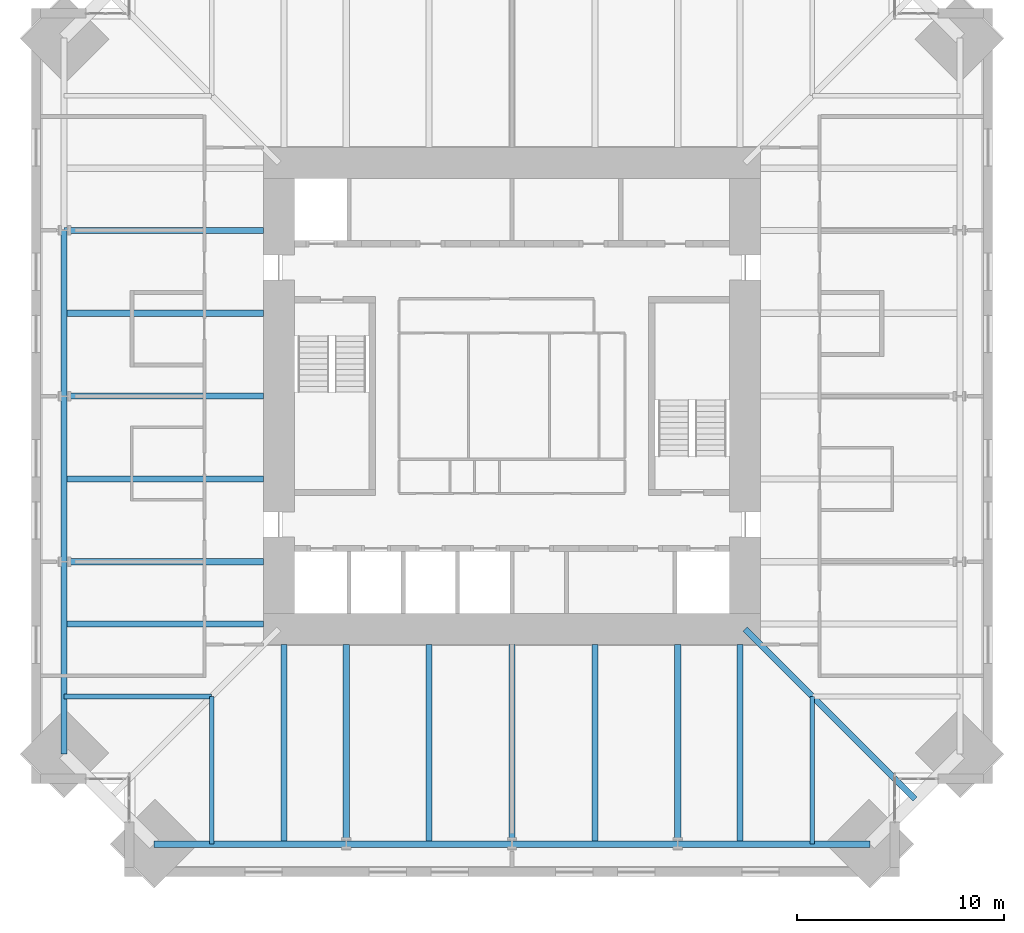
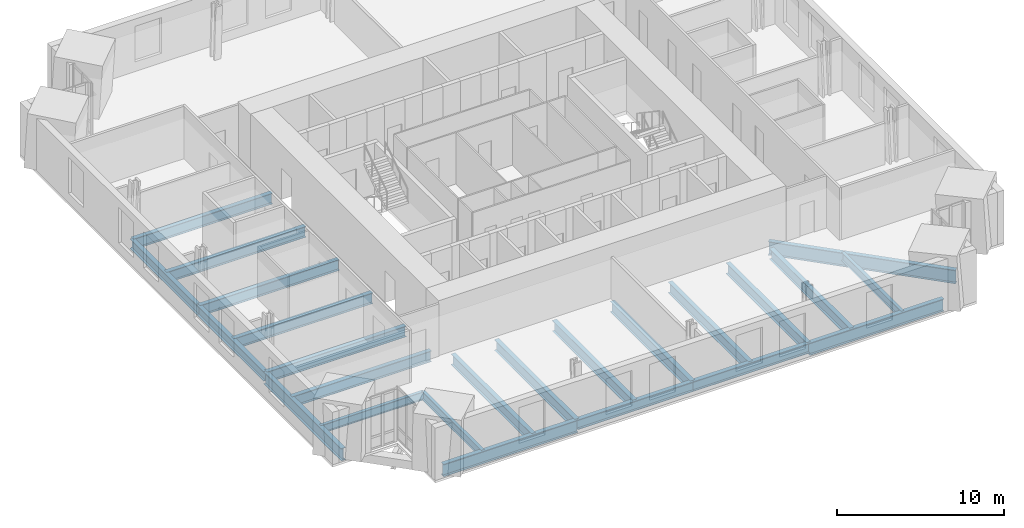
# One storey, part 3 of 15: 24 beams.
"""IFC4 building model written with IfcOpenShell, lengths in metres."""

from ifc_helpers import new_model, si_unit, direction, frame, origin, origin_2d, place, context, subcontext, project, spatial, i_section, extrude, material, material_profile, profile_set, type_object, element, save


model = new_model("IFC4")

# Units and contexts
model_context = context("Model", 3, precision=1e-05, world=origin(), true_north=direction((0.0, 1.0)))
body_context = subcontext(model_context, "Body", "Model", "MODEL_VIEW")
ifc_project = project(units=[si_unit("LENGTHUNIT", "METRE"), si_unit("AREAUNIT", "SQUARE_METRE"), si_unit("VOLUMEUNIT", "CUBIC_METRE"), si_unit("PLANEANGLEUNIT", "RADIAN"), si_unit("MASSUNIT", "GRAM", prefix="KILO")], contexts=[model_context])

# Site, building, storey
site_placement = place(None, origin())
site = spatial("IfcSite", under=ifc_project, at=site_placement, CompositionType="ELEMENT")
building_placement = place(site_placement, origin())
building = spatial("IfcBuilding", under=site, at=building_placement, Name="Peilmerk Tower", CompositionType="ELEMENT")
storey_placement = place(building_placement, frame((0.0, 0.0, 229.800048828125)))
storey = spatial("IfcBuildingStorey", under=building, at=storey_placement, Name="L50", CompositionType="ELEMENT", Elevation=229.800048828125)

# Beams
ifc_material = material(Name="Steel S355", Category="steel")
ifc_material_profile_1 = material_profile(ifc_material, i_section(OverallWidth=0.219970703125, OverallDepth=0.60009765625, WebThickness=0.011962890625, FlangeThickness=0.01904296875, at=origin_2d()), Name="IPE 600")
ifc_profile_set_1 = profile_set([ifc_material_profile_1], Name="Steel S355")
beam_type_1 = type_object("IfcBeamType", Name="B10 IPE 600 floor beam", PredefinedType="BEAM", material=ifc_profile_set_1)
for number, where, z_axis, x_axis, name in (
    (1, (14.5, -14.5, -0.469970703125), (0.0, -1.0, 0.0), (1.0, 0.0, 0.0), "Floor beam L50"),
    (2, (-14.5, -14.5, -0.469970703125), (0.0, -1.0, 0.0), (1.0, 0.0, 0.0), "Floor beam L50"),
    (3, (-14.5, -14.5, -0.469970703125), (-1.0, 0.0, 0.0), (0.0, -1.0, 0.0), "Floor beam L50"),
):
    element("IfcBeam", number, at=place(storey_placement, frame(where, z_axis=z_axis, x_axis=x_axis)), inside=storey, type_object=beam_type_1, Name=name, PredefinedType="BEAM", context=body_context, shape_type="SweptSolid", body=[
        extrude(i_section(OverallWidth=0.219970703125, OverallDepth=0.60009765625, WebThickness=0.011962890625, FlangeThickness=0.01904296875, at=origin_2d()), origin(), (0.0, 0.0, 1.0), 7.130615234375),
    ])
ifc_material_profile_2 = material_profile(ifc_material, i_section(OverallWidth=0.300048828125, OverallDepth=0.989990234375, WebThickness=0.0166015625, FlangeThickness=0.031005859375, at=origin_2d()), Name="HEA 1000")
ifc_profile_set_2 = profile_set([ifc_material_profile_2], Name="Steel S355")
beam_type_2 = type_object("IfcBeamType", Name="B14 HEA 1000 floor girder", PredefinedType="BEAM", material=ifc_profile_set_2)
beam_placement = place(storey_placement, frame((11.25, -11.25, -0.6650390625), z_axis=(0.707106781187, -0.707106781187, 0.0), x_axis=(0.707106781187, 0.707106781187, 0.0)))
element("IfcBeam", 4, at=beam_placement, inside=storey, type_object=beam_type_2, Name="Corner girder L50", PredefinedType="BEAM", context=body_context, shape_type="SweptSolid", body=[
    extrude(i_section(OverallWidth=0.300048828125, OverallDepth=0.989990234375, WebThickness=0.0166015625, FlangeThickness=0.031005859375, at=origin_2d()), origin(), (0.0, 0.0, 1.0), 11.6044921875),
])
ifc_material_profile_3 = material_profile(ifc_material, i_section(OverallWidth=0.302001953125, OverallDepth=0.909912109375, WebThickness=0.02099609375, FlangeThickness=0.0400390625, at=origin_2d()), Name="HEM 900")
ifc_profile_set_3 = profile_set([ifc_material_profile_3], Name="Steel S355")
beam_type_3 = type_object("IfcBeamType", Name="B2 HEM 900 edge beam", PredefinedType="SPANDREL", material=ifc_profile_set_3)
for number, where, z_axis, x_axis, name in (
    (5, (-17.28076171875, -21.630615234375, -0.625), (1.0, 0.0, 0.0), (0.0, 1.0, 0.0), "Edge beam L50"),
    (6, (8.0, -21.630615234375, -0.625), (1.0, 0.0, 0.0), (0.0, 1.0, 0.0), "Edge beam L50"),
    (7, (-21.630615234375, -8.0, -0.625), (0.0, -1.0, 0.0), (1.0, 0.0, 0.0), "Edge beam L50"),
):
    element("IfcBeam", number, at=place(storey_placement, frame(where, z_axis=z_axis, x_axis=x_axis)), inside=storey, type_object=beam_type_3, Name=name, PredefinedType="SPANDREL", context=body_context, shape_type="SweptSolid", body=[
        extrude(i_section(OverallWidth=0.302001953125, OverallDepth=0.909912109375, WebThickness=0.02099609375, FlangeThickness=0.0400390625, at=origin_2d()), origin(), (0.0, 0.0, 1.0), 9.28076171875),
    ])
ifc_material_profile_4 = material_profile(ifc_material, i_section(OverallWidth=0.300048828125, OverallDepth=0.7900390625, WebThickness=0.014892578125, FlangeThickness=0.028076171875, at=origin_2d()), Name="HEA 800")
ifc_profile_set_4 = profile_set([ifc_material_profile_4], Name="Steel S355")
beam_type_4 = type_object("IfcBeamType", Name="B3 HEA 800 floor beam", PredefinedType="BEAM", material=ifc_profile_set_4)
for number, where, z_axis, x_axis, name in (
    (8, (-11.0, -12.0, -0.56494140625), (0.0, -1.0, 0.0), (1.0, 0.0, 0.0), "Floor beam L50"),
    (9, (-8.0, -12.0, -0.56494140625), (0.0, -1.0, 0.0), (1.0, 0.0, 0.0), "Floor beam L50"),
    (10, (-4.0, -12.0, -0.56494140625), (0.0, -1.0, 0.0), (1.0, 0.0, 0.0), "Floor beam L50"),
    (11, (0.0, -12.0, -0.56494140625), (0.0, -1.0, 0.0), (1.0, 0.0, 0.0), "Floor beam L50"),
    (12, (4.0, -12.0, -0.56494140625), (0.0, -1.0, 0.0), (1.0, 0.0, 0.0), "Floor beam L50"),
    (13, (8.0, -12.0, -0.56494140625), (0.0, -1.0, 0.0), (1.0, 0.0, 0.0), "Floor beam L50"),
    (14, (11.0, -12.0, -0.56494140625), (0.0, -1.0, 0.0), (1.0, 0.0, 0.0), "Floor beam L50"),
    (15, (-12.0, 8.0, -0.56494140625), (-1.0, 0.0, 0.0), (0.0, -1.0, 0.0), "Floor beam L50"),
    (16, (-12.0, 4.0, -0.56494140625), (-1.0, 0.0, 0.0), (0.0, -1.0, 0.0), "Floor beam L50"),
    (17, (-12.0, 0.0, -0.56494140625), (-1.0, 0.0, 0.0), (0.0, -1.0, 0.0), "Floor beam L50"),
    (18, (-12.0, -4.0, -0.56494140625), (-1.0, 0.0, 0.0), (0.0, -1.0, 0.0), "Floor beam L50"),
    (19, (-12.0, -8.0, -0.56494140625), (-1.0, 0.0, 0.0), (0.0, -1.0, 0.0), "Floor beam L50"),
    (20, (-12.0, -11.0, -0.56494140625), (-1.0, 0.0, 0.0), (0.0, -1.0, 0.0), "Floor beam L50"),
):
    element("IfcBeam", number, at=place(storey_placement, frame(where, z_axis=z_axis, x_axis=x_axis)), inside=storey, type_object=beam_type_4, Name=name, PredefinedType="BEAM", context=body_context, shape_type="SweptSolid", body=[
        extrude(i_section(OverallWidth=0.300048828125, OverallDepth=0.7900390625, WebThickness=0.014892578125, FlangeThickness=0.028076171875, at=origin_2d()), origin(), (0.0, 0.0, 1.0), 9.630615234375),
    ])
ifc_material_profile_5 = material_profile(ifc_material, i_section(OverallWidth=0.303955078125, OverallDepth=0.716064453125, WebThickness=0.02099609375, FlangeThickness=0.0400390625, at=origin_2d()), Name="HEM 700")
ifc_profile_set_5 = profile_set([ifc_material_profile_5], Name="Steel S355")
beam_type_5 = type_object("IfcBeamType", Name="B30 HEM 700 edge beam", PredefinedType="SPANDREL", material=ifc_profile_set_5)
for number, where, z_axis, x_axis, name in (
    (21, (-8.0, -21.630615234375, -0.528076171875), (1.0, 0.0, 0.0), (0.0, 1.0, 0.0), "Edge beam L50"),
    (22, (0.0, -21.630615234375, -0.528076171875), (1.0, 0.0, 0.0), (0.0, 1.0, 0.0), "Edge beam L50"),
    (23, (-21.630615234375, 8.0, -0.528076171875), (0.0, -1.0, 0.0), (1.0, 0.0, 0.0), "Edge beam L50"),
    (24, (-21.630615234375, 0.0, -0.528076171875), (0.0, -1.0, 0.0), (1.0, 0.0, 0.0), "Edge beam L50"),
):
    element("IfcBeam", number, at=place(storey_placement, frame(where, z_axis=z_axis, x_axis=x_axis)), inside=storey, type_object=beam_type_5, Name=name, PredefinedType="SPANDREL", context=body_context, shape_type="SweptSolid", body=[
        extrude(i_section(OverallWidth=0.303955078125, OverallDepth=0.716064453125, WebThickness=0.02099609375, FlangeThickness=0.0400390625, at=origin_2d()), origin(), (0.0, 0.0, 1.0), 8.0),
    ])

save(model, "model.ifc")
